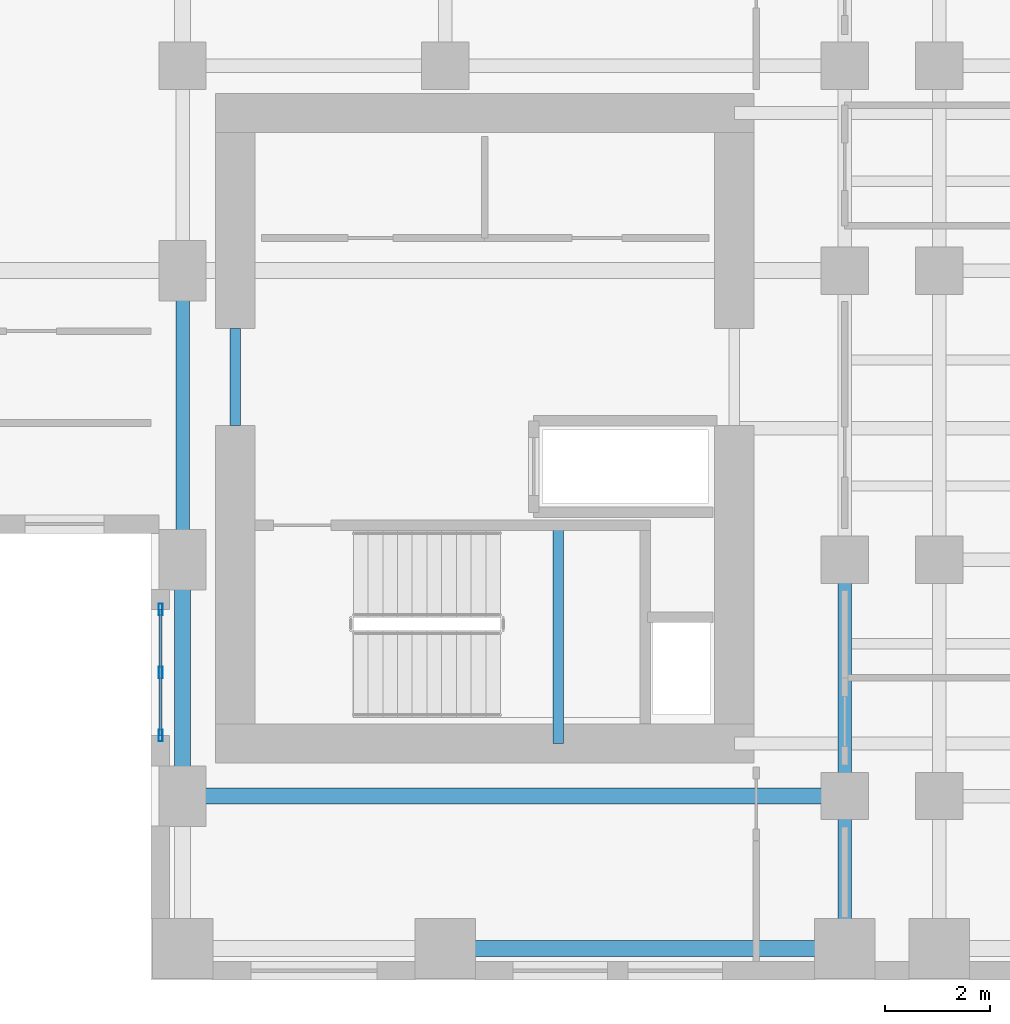
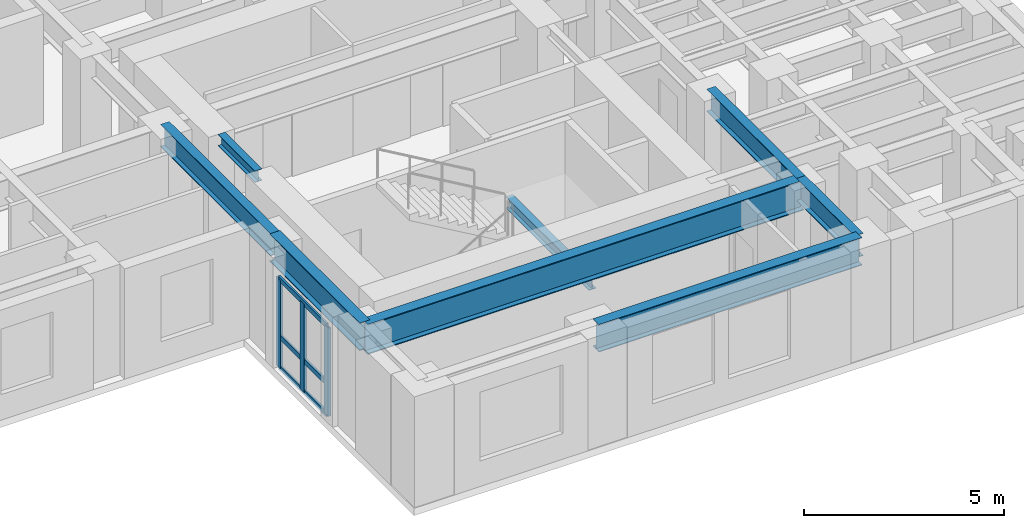
# One storey, part 2 of 12: 8 beams, 6 members, 1 element without a shape of its own.
"""IFC4 building model written with IfcOpenShell, lengths in metres."""

import ifcopenshell
import ifcopenshell.guid

model = None  # the IFC model being written
_history = None  # IfcOwnerHistory: only IFC2X3 demands one
_inside = {}  # id of a spatial element -> (the spatial element, [elements in it])
_under = {}  # id of a project, library or spatial element -> (it, [spatial elements below it])
_declared = {}  # id of a project -> (the project, [libraries it declares])
_typed = {}  # id of a type object -> (the type object, [elements of that type])
_made_of = {}  # id of a material, layer set ... -> (it, [elements and type objects made of it])


def new_model(schema):
    """Start an empty IFC model of exactly this schema.

    Asked for "IFC4X3", IfcOpenShell would pick the latest addendum, in which some entities
    have other attributes; the version numbers below select the first issue.
    IFC2X3 requires an IfcOwnerHistory on every rooted entity: one is made here for all.
    """
    global model, _history
    if schema == "IFC4X3":
        model = ifcopenshell.file(schema_version=(4, 3, 0, 0))
    else:
        model = ifcopenshell.file(schema=schema)
    _inside.clear()
    _under.clear()
    _declared.clear()
    _typed.clear()
    _made_of.clear()
    _history = None
    if model.schema == "IFC2X3":
        org = make("IfcOrganization", Name="unknown")
        user = make(
            "IfcPersonAndOrganization",
            ThePerson=make("IfcPerson", FamilyName="unknown"),
            TheOrganization=org,
        )
        app = make(
            "IfcApplication",
            ApplicationDeveloper=org,
            Version="unknown",
            ApplicationFullName="unknown",
            ApplicationIdentifier="unknown",
        )
        _history = make(
            "IfcOwnerHistory",
            OwningUser=user,
            OwningApplication=app,
            ChangeAction="ADDED",
            CreationDate=0,
        )
    return model


def make(cls, **values):
    """One entity of the class cls with the attributes given. An attribute that is None is left unset."""
    return model.create_entity(
        cls, **{name: value for name, value in values.items() if value is not None}
    )


def rooted(cls, **values):
    """An entity with a GlobalId (a new one), such as an element, a storey or a relation."""
    return make(cls, GlobalId=ifcopenshell.guid.new(), OwnerHistory=_history, **values)


def si_unit(unit_type, name, prefix=None):
    """IfcSIUnit, for example si_unit("LENGTHUNIT", "METRE", prefix="MILLI")."""
    return make("IfcSIUnit", UnitType=unit_type, Prefix=prefix, Name=name)


def assignment(units):
    """IfcUnitAssignment: the units of a project."""
    return None if units is None else make("IfcUnitAssignment", Units=units)


def point(xyz):
    """IfcCartesianPoint."""
    return None if xyz is None else make("IfcCartesianPoint", Coordinates=xyz)


def direction(xyz):
    """IfcDirection."""
    return None if xyz is None else make("IfcDirection", DirectionRatios=xyz)


def frame(location, z_axis=None, x_axis=None):
    """IfcAxis2Placement3D, a coordinate frame: its origin and axes. An axis left out is left unset."""
    return make(
        "IfcAxis2Placement3D",
        Location=point(location),
        Axis=direction(z_axis),
        RefDirection=direction(x_axis),
    )


def frame_2d(location, x_axis=None):
    """IfcAxis2Placement2D, a coordinate frame in the plane: its origin and x axis."""
    return make(
        "IfcAxis2Placement2D", Location=point(location), RefDirection=direction(x_axis)
    )


def origin():
    """The frame at (0, 0, 0) with its axes left unset."""
    return frame((0.0, 0.0, 0.0))


def origin_2d():
    """The frame at (0, 0) in the plane with its x axis left unset."""
    return frame_2d((0.0, 0.0))


def place(relative_to, where):
    """IfcLocalPlacement: puts the frame where relative to a parent placement (None: the world)."""
    return make(
        "IfcLocalPlacement", PlacementRelTo=relative_to, RelativePlacement=where
    )


def context(
    kind, dimensions, precision=None, world=None, true_north=None, identifier=None
):
    """IfcGeometricRepresentationContext, for example the 3D "Model" context."""
    return make(
        "IfcGeometricRepresentationContext",
        ContextIdentifier=identifier,
        ContextType=kind,
        CoordinateSpaceDimension=dimensions,
        Precision=precision,
        WorldCoordinateSystem=world,
        TrueNorth=true_north,
    )


def subcontext(parent, identifier, kind, view, scale=None):
    """IfcGeometricRepresentationSubContext, for example "Body" below "Model"."""
    return make(
        "IfcGeometricRepresentationSubContext",
        ContextIdentifier=identifier,
        ContextType=kind,
        ParentContext=parent,
        TargetScale=scale,
        TargetView=view,
    )


def project(units=None, contexts=None):
    """IfcProject with its units and contexts."""
    return rooted(
        "IfcProject",
        Name="project",
        RepresentationContexts=contexts,
        UnitsInContext=assignment(units),
    )


def spatial(cls, under=None, at=None, **own):
    """A site, building, storey or space (cls), placed at a placement, below another one or the project."""
    s = rooted(cls, ObjectPlacement=at, **own)
    if under is not None:
        _under.setdefault(under.id(), (under, []))[1].append(s)
    return s


def profile(cls, at=None, kind="AREA", **sizes):
    """A parametric profile (cls). Its sizes go by their IFC names, for example OverallWidth=200.0."""
    return make(cls, ProfileType=kind, Position=at, **sizes)


def hollow_rectangle(**sizes):
    """IfcRectangleHollowProfileDef."""
    return profile("IfcRectangleHollowProfileDef", **sizes)


def i_section(**sizes):
    """IfcIShapeProfileDef."""
    return profile("IfcIShapeProfileDef", **sizes)


def extrude(swept, where, along, depth):
    """IfcExtrudedAreaSolid: the profile swept, set in the frame where, extruded along a direction by depth."""
    return make(
        "IfcExtrudedAreaSolid",
        SweptArea=swept,
        Position=where,
        ExtrudedDirection=direction(along),
        Depth=depth,
    )


def shape(context_of_items, identifier, shape_type, items):
    """IfcShapeRepresentation: the items that make up one representation, for example the "Body"."""
    return make(
        "IfcShapeRepresentation",
        ContextOfItems=context_of_items,
        RepresentationIdentifier=identifier,
        RepresentationType=shape_type,
        Items=items,
    )


def source(mapping_origin, context_of_items, identifier, shape_type, items):
    """IfcRepresentationMap: a shape defined once, which mapped items show again and again."""
    return make(
        "IfcRepresentationMap",
        MappingOrigin=mapping_origin,
        MappedRepresentation=shape(context_of_items, identifier, shape_type, items),
    )


def transform(
    local_origin,
    x_axis=None,
    y_axis=None,
    z_axis=None,
    scale=None,
    scale2=None,
    scale3=None,
    uniform=True,
):
    """IfcCartesianTransformationOperator3D, or its non-uniform kind. x_axis, y_axis, z_axis: its Axis1, 2, 3."""
    if uniform:
        return make(
            "IfcCartesianTransformationOperator3D",
            Axis1=direction(x_axis),
            Axis2=direction(y_axis),
            LocalOrigin=point(local_origin),
            Scale=scale,
            Axis3=direction(z_axis),
        )
    return make(
        "IfcCartesianTransformationOperator3DnonUniform",
        Axis1=direction(x_axis),
        Axis2=direction(y_axis),
        LocalOrigin=point(local_origin),
        Scale=scale,
        Axis3=direction(z_axis),
        Scale2=scale2,
        Scale3=scale3,
    )


def mapped(mapping_source, mapping_target):
    """IfcMappedItem: shows the shape of a source again, moved by a transform."""
    return make(
        "IfcMappedItem", MappingSource=mapping_source, MappingTarget=mapping_target
    )


def material(Name=None, Category=None):
    """IfcMaterial."""
    return make("IfcMaterial", Name=Name, Category=Category)


def layer(
    of_material, thickness, ventilated=None, Name=None, Category=None, Priority=None
):
    """IfcMaterialLayer: one layer of a wall or slab, of a material (None: an air gap)."""
    return make(
        "IfcMaterialLayer",
        Material=of_material,
        LayerThickness=thickness,
        IsVentilated=ventilated,
        Name=Name,
        Category=Category,
        Priority=Priority,
    )


def layer_set(layers, Name=None):
    """IfcMaterialLayerSet."""
    return make("IfcMaterialLayerSet", MaterialLayers=layers, LayerSetName=Name)


def material_profile(
    of_material, cross_section, Name=None, Category=None, Priority=None
):
    """IfcMaterialProfile: a cross section and its material."""
    return make(
        "IfcMaterialProfile",
        Name=Name,
        Material=of_material,
        Profile=cross_section,
        Priority=Priority,
        Category=Category,
    )


def profile_set(profiles, Name=None, composite=None):
    """IfcMaterialProfileSet."""
    return make(
        "IfcMaterialProfileSet",
        Name=Name,
        MaterialProfiles=profiles,
        CompositeProfile=composite,
    )


def made_of(thing, what):
    """Note that an element or type object is made of a material, layer set ...; save() writes the relation."""
    if what is not None:
        _made_of.setdefault(what.id(), (what, []))[1].append(thing)
    return thing


def type_object(cls, material=None, **own):
    """A type object (cls), such as IfcWallType, which elements share."""
    return made_of(rooted(cls, **own), material)


def element(
    cls,
    number,
    at=None,
    inside=None,
    cuts=None,
    type_object=None,
    material=None,
    context=None,
    identifier="Body",
    shape_type=None,
    held_by="IfcProductDefinitionShape",
    body=None,
    shapes=None,
    **own,
):
    """One element of the class cls, such as IfcWall. Its Tag is "e" and its number.

    at: its placement. inside: the storey or other place that contains it. cuts: it is an
    opening in that element (IfcRelVoidsElement). A single representation is given by context,
    identifier, shape_type and body (its items); several are given by shapes. held_by: the class
    of the entity that holds the representations. save() writes the other relations.
    """
    e = rooted(cls, Tag="e%d" % number, ObjectPlacement=at, **own)
    if body is not None:
        shapes = [shape(context, identifier, shape_type, body)]
    if shapes is not None:
        e.Representation = make(held_by, Representations=shapes)
    if inside is not None:
        _inside.setdefault(inside.id(), (inside, []))[1].append(e)
    if cuts is not None:
        rooted(
            "IfcRelVoidsElement", RelatingBuildingElement=cuts, RelatedOpeningElement=e
        )
    if type_object is not None:
        _typed.setdefault(type_object.id(), (type_object, []))[1].append(e)
    return made_of(e, material)


def aggregate(whole, parts):
    """IfcRelAggregates: a whole, such as a stair, and the parts it consists of."""
    return rooted("IfcRelAggregates", RelatingObject=whole, RelatedObjects=parts)


def save(model, path):
    """Write the relations noted so far, then the file.

    IfcRelAggregates (storeys below a building ...), IfcRelContainedInSpatialStructure (elements
    in a storey), IfcRelDefinesByType, IfcRelAssociatesMaterial and IfcRelDeclares: one each for
    every whole, place, type object, material and project.
    """
    for whole, parts in _under.values():
        aggregate(whole, parts)
    for where, things in _inside.values():
        rooted(
            "IfcRelContainedInSpatialStructure",
            RelatedElements=things,
            RelatingStructure=where,
        )
    for kind, things in _typed.values():
        rooted("IfcRelDefinesByType", RelatedObjects=things, RelatingType=kind)
    for what, things in _made_of.values():
        rooted("IfcRelAssociatesMaterial", RelatedObjects=things, RelatingMaterial=what)
    for by, libraries in _declared.values():
        rooted("IfcRelDeclares", RelatingContext=by, RelatedDefinitions=libraries)
    model.write(path)


model = new_model("IFC4")

# Units and contexts
model_context = context("Model", 3, precision=1e-05, world=origin(), true_north=direction((0.0, 1.0)))
body_context = subcontext(model_context, "Body", "Model", "MODEL_VIEW")
ifc_project = project(units=[si_unit("LENGTHUNIT", "METRE"), si_unit("AREAUNIT", "SQUARE_METRE"), si_unit("VOLUMEUNIT", "CUBIC_METRE"), si_unit("PLANEANGLEUNIT", "RADIAN"), si_unit("MASSUNIT", "GRAM", prefix="KILO")], contexts=[model_context])

# Site, building, storey
site_placement = place(None, origin())
site = spatial("IfcSite", under=ifc_project, at=site_placement, CompositionType="ELEMENT")
building_placement = place(site_placement, origin())
building = spatial("IfcBuilding", under=site, at=building_placement, Name="Kharzan Plaza Tower", CompositionType="ELEMENT")
storey_placement = place(building_placement, frame((0.0, 0.0, 117.0)))
storey = spatial("IfcBuildingStorey", under=building, at=storey_placement, Name="L31", CompositionType="ELEMENT", Elevation=117.0)

# Beams
ifc_material_1 = material(Name="Steel S355", Category="steel")
ifc_material_profile_1 = material_profile(ifc_material_1, i_section(OverallWidth=0.205078125, OverallDepth=0.35400390625, WebThickness=0.009521484375, FlangeThickness=0.016845703125, at=origin_2d()), Name="W360x79")
ifc_profile_set_1 = profile_set([ifc_material_profile_1], Name="Steel S355")
beam_type_1 = type_object("IfcBeamType", Name="BM-LNT360", PredefinedType="LINTEL", material=ifc_profile_set_1)
shared_shape_1 = source(origin(), body_context, "Body", "SweptSolid", [
    extrude(i_section(OverallWidth=0.205078125, OverallDepth=0.35400390625, WebThickness=0.009521484375, FlangeThickness=0.016845703125, at=origin_2d()), origin(), (0.0, 0.0, 1.0), 1.849853515625),
])
beam_1_placement = place(storey_placement, frame((36.0, 10.550048828125, 3.202880859375), z_axis=(0.0, 1.0, 0.0), x_axis=(-1.0, 0.0, 0.0)))
element("IfcBeam", 1, at=beam_1_placement, inside=storey, type_object=beam_type_1, Name="L31 CORE-B coupling lintel LN1-WW", PredefinedType="LINTEL", context=body_context, shape_type="MappedRepresentation", body=[
    mapped(shared_shape_1, transform((0.0, 0.0, 0.0), x_axis=(1.0, 0.0, 0.0), y_axis=(0.0, 1.0, 0.0), z_axis=(0.0, 0.0, 1.0))),
])
shared_shape_2 = source(origin(), body_context, "Body", "SweptSolid", [
    extrude(i_section(OverallWidth=0.205078125, OverallDepth=0.35400390625, WebThickness=0.009521484375, FlangeThickness=0.016845703125, at=origin_2d()), origin(), (0.0, 0.0, 1.0), 4.155029296875),
])
beam_2_placement = place(storey_placement, frame((42.14990234375, 4.5, 1.423095703125), z_axis=(0.0, 1.0, 0.0), x_axis=(-1.0, 0.0, 0.0)))
element("IfcBeam", 2, at=beam_2_placement, inside=storey, type_object=beam_type_1, Name="L31 Stair ST-3 Half-Landing Beam", PredefinedType="LINTEL", context=body_context, shape_type="MappedRepresentation", body=[
    mapped(shared_shape_2, transform((0.0, 0.0, 0.0), x_axis=(1.0, 0.0, 0.0), y_axis=(0.0, 1.0, 0.0), z_axis=(0.0, 0.0, 1.0))),
])
ifc_material_profile_2 = material_profile(ifc_material_1, i_section(OverallWidth=0.304931640625, OverallDepth=0.9189453125, WebThickness=0.017333984375, FlangeThickness=0.02783203125, at=origin_2d()), Name="W920x253")
ifc_profile_set_2 = profile_set([ifc_material_profile_2], Name="Steel S355")
beam_type_2 = type_object("IfcBeamType", Name="BM-FG920B", PredefinedType="BEAM", material=ifc_profile_set_2)
shared_shape_3 = source(origin(), body_context, "Body", "SweptSolid", [
    extrude(i_section(OverallWidth=0.304931640625, OverallDepth=0.9189453125, WebThickness=0.017333984375, FlangeThickness=0.02783203125, at=origin_2d()), origin(), (0.0, 0.0, 1.0), 12.60009765625),
])
beam_3_placement = place(storey_placement, frame((35.0, 3.5, 2.92041015625), z_axis=(1.0, 0.0, 0.0), x_axis=(0.0, 1.0, 0.0)))
element("IfcBeam", 3, at=beam_3_placement, inside=storey, type_object=beam_type_2, Name="L31 Primary Floor Girder", PredefinedType="BEAM", context=body_context, shape_type="MappedRepresentation", body=[
    mapped(shared_shape_3, transform((0.0, 0.0, 0.0), x_axis=(1.0, 0.0, 0.0), y_axis=(0.0, 1.0, 0.0), z_axis=(0.0, 0.0, 1.0))),
])

# Curtain wall, members
ifc_material_2 = material(Name="Unitised Bronze-Anodized Aluminium and Low-E Glass", Category="aluminium")
ifc_layer = layer(ifc_material_2, 0.199951171875)
ifc_layer_set = layer_set([ifc_layer], Name="Unitised Bronze-Anodized Aluminium and Low-E Glass")
curtain_wall_type = type_object("IfcCurtainWallType", Name="CW-SLOT-3", PredefinedType="NOTDEFINED", material=ifc_layer_set)
curtain_wall_placement = place(storey_placement, origin())
curtain_wall = element("IfcCurtainWall", 4, at=curtain_wall_placement, inside=storey, type_object=curtain_wall_type, Name="L31 East Slot Recessed Spine Curtain Wall", PredefinedType="NOTDEFINED")
ifc_material_3 = material(Name="Anodized Bronze Aluminium", Category="aluminium")
ifc_material_profile_3 = material_profile(ifc_material_3, hollow_rectangle(XDim=0.074951171875, YDim=0.219970703125, WallThickness=0.00390625, at=origin_2d()), Name="ALU-M220x75x4")
ifc_profile_set_3 = profile_set([ifc_material_profile_3], Name="Anodized Bronze Aluminium")
member_type_1 = type_object("IfcMemberType", Name="MEM-CW-MUL200", PredefinedType="MULLION", material=ifc_profile_set_3)
shared_shape_4 = source(origin(), body_context, "Body", "SweptSolid", [
    extrude(hollow_rectangle(XDim=0.074951171875, YDim=0.219970703125, WallThickness=0.00390625, at=origin_2d()), origin(), (0.0, 0.0, 1.0), 2.699951171875),
])
member_1_placement = place(storey_placement, frame((34.580078125, 4.64990234375, 0.0), z_axis=(0.0, 0.0, 1.0), x_axis=(1.0, 0.0, 0.0)))
member_1 = element("IfcMember", 5, at=member_1_placement, type_object=member_type_1, Name="L31 Curtain-Wall Mullion 00", PredefinedType="MULLION", context=body_context, shape_type="MappedRepresentation", body=[
    mapped(shared_shape_4, transform((0.0, 0.0, 0.0), x_axis=(1.0, 0.0, 0.0), y_axis=(0.0, 1.0, 0.0), z_axis=(0.0, 0.0, 1.0))),
])
member_2_placement = place(storey_placement, frame((34.580078125, 5.85009765625, 0.0), z_axis=(0.0, 0.0, 1.0), x_axis=(1.0, 0.0, 0.0)))
member_2 = element("IfcMember", 6, at=member_2_placement, type_object=member_type_1, Name="L31 Curtain-Wall Mullion 01", PredefinedType="MULLION", context=body_context, shape_type="MappedRepresentation", body=[
    mapped(shared_shape_4, transform((0.0, 0.0, 0.0), x_axis=(1.0, 0.0, 0.0), y_axis=(0.0, 1.0, 0.0), z_axis=(0.0, 0.0, 1.0))),
])
member_3_placement = place(storey_placement, frame((34.580078125, 7.050048828125, 0.0), z_axis=(0.0, 0.0, 1.0), x_axis=(1.0, 0.0, 0.0)))
member_3 = element("IfcMember", 7, at=member_3_placement, type_object=member_type_1, Name="L31 Curtain-Wall Mullion 02", PredefinedType="MULLION", context=body_context, shape_type="MappedRepresentation", body=[
    mapped(shared_shape_4, transform((0.0, 0.0, 0.0), x_axis=(1.0, 0.0, 0.0), y_axis=(0.0, 1.0, 0.0), z_axis=(0.0, 0.0, 1.0))),
])
ifc_material_profile_4 = material_profile(ifc_material_3, hollow_rectangle(XDim=0.06005859375, YDim=0.14990234375, WallThickness=0.00341796875, at=origin_2d()), Name="ALU-T150x60x3.5")
ifc_profile_set_4 = profile_set([ifc_material_profile_4], Name="Anodized Bronze Aluminium")
member_type_2 = type_object("IfcMemberType", Name="MEM-CW-TRN150", PredefinedType="USERDEFINED", material=ifc_profile_set_4)
shared_shape_5 = source(origin(), body_context, "Body", "SweptSolid", [
    extrude(hollow_rectangle(XDim=0.06005859375, YDim=0.14990234375, WallThickness=0.00341796875, at=origin_2d()), origin(), (0.0, 0.0, 1.0), 2.400146484375),
])
member_4_placement = place(storey_placement, frame((34.580078125, 4.64990234375, 0.0), z_axis=(0.0, 1.0, 0.0), x_axis=(-1.0, 0.0, 0.0)))
member_4 = element("IfcMember", 8, at=member_4_placement, type_object=member_type_2, Name="L31 Curtain-Wall Transom 1", ObjectType="TRANSOM", PredefinedType="USERDEFINED", context=body_context, shape_type="MappedRepresentation", body=[
    mapped(shared_shape_5, transform((0.0, 0.0, 0.0), x_axis=(1.0, 0.0, 0.0), y_axis=(0.0, 1.0, 0.0), z_axis=(0.0, 0.0, 1.0))),
])
member_5_placement = place(storey_placement, frame((34.580078125, 4.64990234375, 0.949951171875), z_axis=(0.0, 1.0, 0.0), x_axis=(-1.0, 0.0, 0.0)))
member_5 = element("IfcMember", 9, at=member_5_placement, type_object=member_type_2, Name="L31 Curtain-Wall Transom 2", ObjectType="TRANSOM", PredefinedType="USERDEFINED", context=body_context, shape_type="MappedRepresentation", body=[
    mapped(shared_shape_5, transform((0.0, 0.0, 0.0), x_axis=(1.0, 0.0, 0.0), y_axis=(0.0, 1.0, 0.0), z_axis=(0.0, 0.0, 1.0))),
])
member_6_placement = place(storey_placement, frame((34.580078125, 4.64990234375, 2.699951171875), z_axis=(0.0, 1.0, 0.0), x_axis=(-1.0, 0.0, 0.0)))
member_6 = element("IfcMember", 10, at=member_6_placement, type_object=member_type_2, Name="L31 Curtain-Wall Transom 3", ObjectType="TRANSOM", PredefinedType="USERDEFINED", context=body_context, shape_type="MappedRepresentation", body=[
    mapped(shared_shape_5, transform((0.0, 0.0, 0.0), x_axis=(1.0, 0.0, 0.0), y_axis=(0.0, 1.0, 0.0), z_axis=(0.0, 0.0, 1.0))),
])
aggregate(curtain_wall, [member_1, member_2, member_3, member_4, member_5, member_6])

# Beams
ifc_material_profile_5 = material_profile(ifc_material_1, i_section(OverallWidth=0.25390625, OverallDepth=0.68798828125, WebThickness=0.01318359375, FlangeThickness=0.02099609375, at=origin_2d()), Name="W690x152")
ifc_profile_set_5 = profile_set([ifc_material_profile_5], Name="Steel S355")
beam_type_3 = type_object("IfcBeamType", Name="BM-FG690B", PredefinedType="BEAM", material=ifc_profile_set_5)
shared_shape_6 = source(origin(), body_context, "Body", "SweptSolid", [
    extrude(i_section(OverallWidth=0.25390625, OverallDepth=0.68798828125, WebThickness=0.01318359375, FlangeThickness=0.02099609375, at=origin_2d()), origin(), (0.0, 0.0, 1.0), 4.5),
])
beam_4_placement = place(storey_placement, frame((47.60009765625, 3.5, 3.035888671875), z_axis=(0.0, 1.0, 0.0), x_axis=(-1.0, 0.0, 0.0)))
element("IfcBeam", 11, at=beam_4_placement, inside=storey, type_object=beam_type_3, Name="L31 Interior Frame Girder", PredefinedType="BEAM", context=body_context, shape_type="MappedRepresentation", body=[
    mapped(shared_shape_6, transform((0.0, 0.0, 0.0), x_axis=(1.0, 0.0, 0.0), y_axis=(0.0, 1.0, 0.0), z_axis=(0.0, 0.0, 1.0))),
])
shared_shape_7 = source(origin(), body_context, "Body", "SweptSolid", [
    extrude(i_section(OverallWidth=0.25390625, OverallDepth=0.68798828125, WebThickness=0.01318359375, FlangeThickness=0.02099609375, at=origin_2d()), origin(), (0.0, 0.0, 1.0), 5.5),
])
beam_5_placement = place(storey_placement, frame((35.0, 8.0, 3.035888671875), z_axis=(0.0, 1.0, 0.0), x_axis=(-1.0, 0.0, 0.0)))
element("IfcBeam", 12, at=beam_5_placement, inside=storey, type_object=beam_type_3, Name="L31 Interior Frame Girder", PredefinedType="BEAM", context=body_context, shape_type="MappedRepresentation", body=[
    mapped(shared_shape_7, transform((0.0, 0.0, 0.0), x_axis=(1.0, 0.0, 0.0), y_axis=(0.0, 1.0, 0.0), z_axis=(0.0, 0.0, 1.0))),
])
shared_shape_8 = source(origin(), body_context, "Body", "SweptSolid", [
    extrude(i_section(OverallWidth=0.25390625, OverallDepth=0.68798828125, WebThickness=0.01318359375, FlangeThickness=0.02099609375, at=origin_2d()), origin(), (0.0, 0.0, 1.0), 2.89990234375),
])
beam_6_placement = place(storey_placement, frame((47.60009765625, 0.60009765625, 3.035888671875), z_axis=(0.0, 1.0, 0.0), x_axis=(-1.0, 0.0, 0.0)))
element("IfcBeam", 13, at=beam_6_placement, inside=storey, type_object=beam_type_3, Name="L31 Interior Frame Girder", PredefinedType="BEAM", context=body_context, shape_type="MappedRepresentation", body=[
    mapped(shared_shape_8, transform((0.0, 0.0, 0.0), x_axis=(1.0, 0.0, 0.0), y_axis=(0.0, 1.0, 0.0), z_axis=(0.0, 0.0, 1.0))),
])
ifc_material_profile_6 = material_profile(ifc_material_1, i_section(OverallWidth=0.299072265625, OverallDepth=0.845947265625, WebThickness=0.015380859375, FlangeThickness=0.0244140625, at=origin_2d()), Name="W840x210")
ifc_profile_set_6 = profile_set([ifc_material_profile_6], Name="Steel S355")
beam_type_4 = type_object("IfcBeamType", Name="BM-SP840B", PredefinedType="SPANDREL", material=ifc_profile_set_6)
shared_shape_9 = source(origin(), body_context, "Body", "SweptSolid", [
    extrude(i_section(OverallWidth=0.299072265625, OverallDepth=0.845947265625, WebThickness=0.015380859375, FlangeThickness=0.0244140625, at=origin_2d()), origin(), (0.0, 0.0, 1.0), 4.5),
])
beam_7_placement = place(storey_placement, frame((35.0, 3.5, 2.95703125), z_axis=(0.0, 1.0, 0.0), x_axis=(-1.0, 0.0, 0.0)))
element("IfcBeam", 14, at=beam_7_placement, inside=storey, type_object=beam_type_4, Name="L31 Perimeter Tube Spandrel", PredefinedType="SPANDREL", context=body_context, shape_type="MappedRepresentation", body=[
    mapped(shared_shape_9, transform((0.0, 0.0, 0.0), x_axis=(1.0, 0.0, 0.0), y_axis=(0.0, 1.0, 0.0), z_axis=(0.0, 0.0, 1.0))),
])
shared_shape_10 = source(origin(), body_context, "Body", "SweptSolid", [
    extrude(i_section(OverallWidth=0.299072265625, OverallDepth=0.845947265625, WebThickness=0.015380859375, FlangeThickness=0.0244140625, at=origin_2d()), origin(), (0.0, 0.0, 1.0), 7.60009765625),
])
beam_8_placement = place(storey_placement, frame((40.0, 0.60009765625, 2.95703125), z_axis=(1.0, 0.0, 0.0), x_axis=(0.0, 1.0, 0.0)))
element("IfcBeam", 15, at=beam_8_placement, inside=storey, type_object=beam_type_4, Name="L31 Perimeter Tube Spandrel", PredefinedType="SPANDREL", context=body_context, shape_type="MappedRepresentation", body=[
    mapped(shared_shape_10, transform((0.0, 0.0, 0.0), x_axis=(1.0, 0.0, 0.0), y_axis=(0.0, 1.0, 0.0), z_axis=(0.0, 0.0, 1.0))),
])

save(model, "model.ifc")
